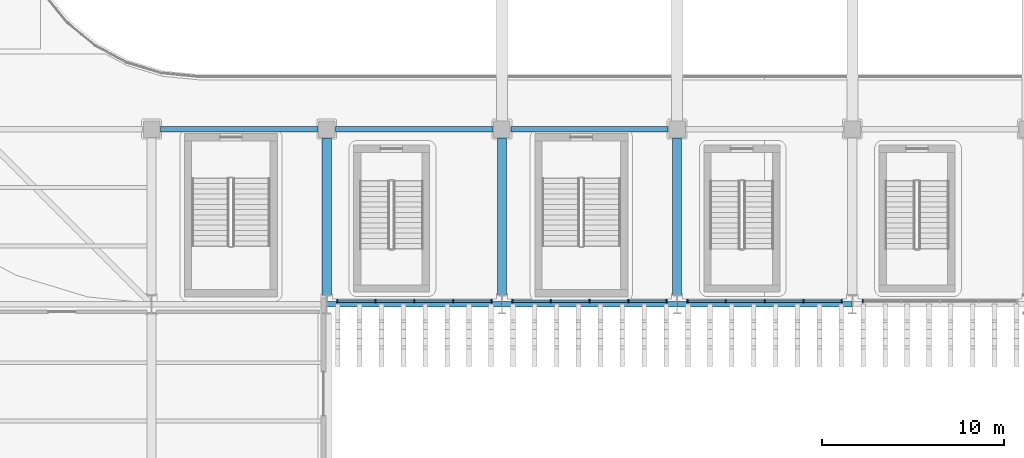
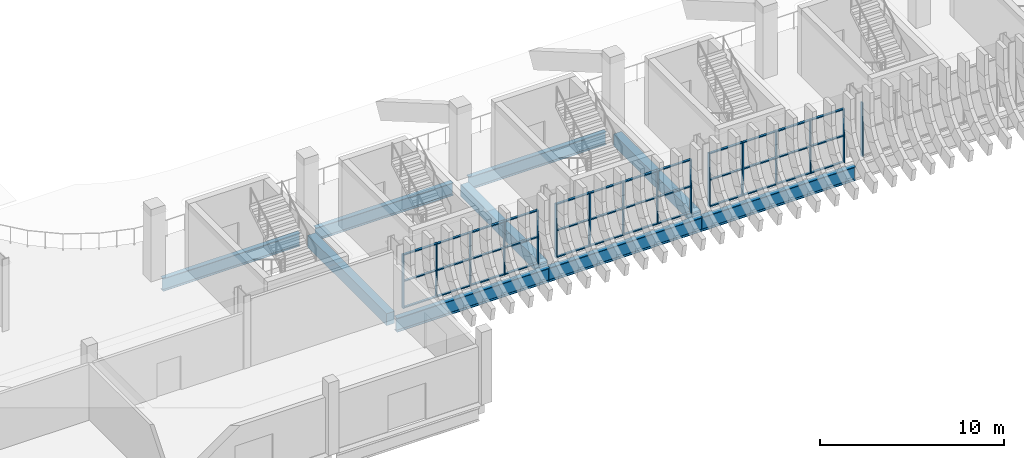
# One storey, part 18 of 100: 52 members, 9 beams, 4 elements without a shape of their own.
"""IFC4 building model written with IfcOpenShell, lengths in metres."""

from ifc_helpers import new_model, si_unit, direction, frame, origin, origin_2d, place, context, subcontext, project, spatial, rectangle, i_section, extrude, material, layer, layer_set, material_profile, profile_set, type_object, element, aggregate, save


model = new_model("IFC4")

# Units and contexts
model_context = context("Model", 3, precision=1e-05, world=origin(), true_north=direction((0.0, 1.0)))
body_context = subcontext(model_context, "Body", "Model", "MODEL_VIEW")
ifc_project = project(units=[si_unit("LENGTHUNIT", "METRE"), si_unit("AREAUNIT", "SQUARE_METRE"), si_unit("VOLUMEUNIT", "CUBIC_METRE"), si_unit("PLANEANGLEUNIT", "RADIAN"), si_unit("MASSUNIT", "GRAM", prefix="KILO")], contexts=[model_context])

# Site, building, storey
site_placement = place(None, origin())
site = spatial("IfcSite", under=ifc_project, at=site_placement, CompositionType="ELEMENT")
building_placement = place(site_placement, origin())
building = spatial("IfcBuilding", under=site, at=building_placement, Name="Caelomonte Colonnade Arena", CompositionType="ELEMENT")
storey_placement = place(building_placement, origin())
storey = spatial("IfcBuildingStorey", under=building, at=storey_placement, Name="L00", CompositionType="ELEMENT", Elevation=0.0)

# Curtain wall, members
ifc_material_1 = material(Name="Bronze anodised aluminium and low-E glazing", Category="aluminium")
ifc_layer = layer(ifc_material_1, 0.179931640625)
ifc_layer_set = layer_set([ifc_layer], Name="Bronze anodised aluminium and low-E glazing")
curtain_wall_type = type_object("IfcCurtainWallType", Name="ENV-CW-CW-L00-96-36", PredefinedType="USERDEFINED", material=ifc_layer_set)
curtain_wall_1_placement = place(storey_placement, origin())
curtain_wall_1 = element("IfcCurtainWall", 1, at=curtain_wall_1_placement, inside=storey, type_object=curtain_wall_type, Name="L00 unitized curtain wall CW-L00-0912-0194", ObjectType="UNITIZED CURTAIN WALL", PredefinedType="USERDEFINED")
ifc_material_2 = material(Name="Bronze anodised aluminium AA6063-T6", Category="aluminium")
ifc_material_profile_1 = material_profile(ifc_material_2, rectangle(XDim=0.070068359375, YDim=0.179931640625, at=origin_2d()), Name="CWM-70X180")
ifc_profile_set_1 = profile_set([ifc_material_profile_1], Name="Bronze anodised aluminium AA6063-T6")
member_type_1 = type_object("IfcMemberType", Name="ENV-CW-MULL1", PredefinedType="MULLION", material=ifc_profile_set_1)
member_1_placement = place(storey_placement, frame((86.9755859375, 19.3798828125, 0.0), z_axis=(0.0, 0.0, 1.0), x_axis=(1.0, 0.0, 0.0)))
member_1 = element("IfcMember", 2, at=member_1_placement, type_object=member_type_1, Name="CW-L00-96-36 mullion 1", PredefinedType="MULLION", context=body_context, shape_type="SweptSolid", body=[
    extrude(rectangle(XDim=0.070068359375, YDim=0.179931640625, at=origin_2d()), origin(), (0.0, 0.0, 1.0), 3.572998046875),
])
member_2_placement = place(storey_placement, frame((89.0703125, 19.3798828125, 0.0), z_axis=(0.0, 0.0, 1.0), x_axis=(1.0, 0.0, 0.0)))
member_2 = element("IfcMember", 3, at=member_2_placement, type_object=member_type_1, Name="CW-L00-96-36 mullion 2", PredefinedType="MULLION", context=body_context, shape_type="SweptSolid", body=[
    extrude(rectangle(XDim=0.070068359375, YDim=0.179931640625, at=origin_2d()), origin(), (0.0, 0.0, 1.0), 3.572998046875),
])
member_3_placement = place(storey_placement, frame((91.199951171875, 19.3798828125, 0.0), z_axis=(0.0, 0.0, 1.0), x_axis=(1.0, 0.0, 0.0)))
member_3 = element("IfcMember", 4, at=member_3_placement, type_object=member_type_1, Name="CW-L00-96-36 mullion 3", PredefinedType="MULLION", context=body_context, shape_type="SweptSolid", body=[
    extrude(rectangle(XDim=0.070068359375, YDim=0.179931640625, at=origin_2d()), origin(), (0.0, 0.0, 1.0), 3.572998046875),
])
member_4_placement = place(storey_placement, frame((93.32958984375, 19.3798828125, 0.0), z_axis=(0.0, 0.0, 1.0), x_axis=(1.0, 0.0, 0.0)))
member_4 = element("IfcMember", 5, at=member_4_placement, type_object=member_type_1, Name="CW-L00-96-36 mullion 4", PredefinedType="MULLION", context=body_context, shape_type="SweptSolid", body=[
    extrude(rectangle(XDim=0.070068359375, YDim=0.179931640625, at=origin_2d()), origin(), (0.0, 0.0, 1.0), 3.572998046875),
])
member_5_placement = place(storey_placement, frame((95.42431640625, 19.3798828125, 0.0), z_axis=(0.0, 0.0, 1.0), x_axis=(1.0, 0.0, 0.0)))
member_5 = element("IfcMember", 6, at=member_5_placement, type_object=member_type_1, Name="CW-L00-96-36 mullion 5", PredefinedType="MULLION", context=body_context, shape_type="SweptSolid", body=[
    extrude(rectangle(XDim=0.070068359375, YDim=0.179931640625, at=origin_2d()), origin(), (0.0, 0.0, 1.0), 3.572998046875),
])

curtain_wall_2_placement = place(storey_placement, origin())
curtain_wall_2 = element("IfcCurtainWall", 7, at=curtain_wall_2_placement, inside=storey, type_object=curtain_wall_type, Name="L00 unitized curtain wall CW-L00-1008-0194", ObjectType="UNITIZED CURTAIN WALL", PredefinedType="USERDEFINED")
member_6_placement = place(storey_placement, frame((96.57568359375, 19.3798828125, 0.0), z_axis=(0.0, 0.0, 1.0), x_axis=(1.0, 0.0, 0.0)))
member_6 = element("IfcMember", 8, at=member_6_placement, type_object=member_type_1, Name="CW-L00-96-36 mullion 1", PredefinedType="MULLION", context=body_context, shape_type="SweptSolid", body=[
    extrude(rectangle(XDim=0.070068359375, YDim=0.179931640625, at=origin_2d()), origin(), (0.0, 0.0, 1.0), 3.572998046875),
])
member_7_placement = place(storey_placement, frame((98.67041015625, 19.3798828125, 0.0), z_axis=(0.0, 0.0, 1.0), x_axis=(1.0, 0.0, 0.0)))
member_7 = element("IfcMember", 9, at=member_7_placement, type_object=member_type_1, Name="CW-L00-96-36 mullion 2", PredefinedType="MULLION", context=body_context, shape_type="SweptSolid", body=[
    extrude(rectangle(XDim=0.070068359375, YDim=0.179931640625, at=origin_2d()), origin(), (0.0, 0.0, 1.0), 3.572998046875),
])
member_8_placement = place(storey_placement, frame((100.800048828125, 19.3798828125, 0.0), z_axis=(0.0, 0.0, 1.0), x_axis=(1.0, 0.0, 0.0)))
member_8 = element("IfcMember", 10, at=member_8_placement, type_object=member_type_1, Name="CW-L00-96-36 mullion 3", PredefinedType="MULLION", context=body_context, shape_type="SweptSolid", body=[
    extrude(rectangle(XDim=0.070068359375, YDim=0.179931640625, at=origin_2d()), origin(), (0.0, 0.0, 1.0), 3.572998046875),
])
member_9_placement = place(storey_placement, frame((102.9296875, 19.3798828125, 0.0), z_axis=(0.0, 0.0, 1.0), x_axis=(1.0, 0.0, 0.0)))
member_9 = element("IfcMember", 11, at=member_9_placement, type_object=member_type_1, Name="CW-L00-96-36 mullion 4", PredefinedType="MULLION", context=body_context, shape_type="SweptSolid", body=[
    extrude(rectangle(XDim=0.070068359375, YDim=0.179931640625, at=origin_2d()), origin(), (0.0, 0.0, 1.0), 3.572998046875),
])
member_10_placement = place(storey_placement, frame((105.0244140625, 19.3798828125, 0.0), z_axis=(0.0, 0.0, 1.0), x_axis=(1.0, 0.0, 0.0)))
member_10 = element("IfcMember", 12, at=member_10_placement, type_object=member_type_1, Name="CW-L00-96-36 mullion 5", PredefinedType="MULLION", context=body_context, shape_type="SweptSolid", body=[
    extrude(rectangle(XDim=0.070068359375, YDim=0.179931640625, at=origin_2d()), origin(), (0.0, 0.0, 1.0), 3.572998046875),
])

curtain_wall_3_placement = place(storey_placement, origin())
curtain_wall_3 = element("IfcCurtainWall", 13, at=curtain_wall_3_placement, inside=storey, type_object=curtain_wall_type, Name="L00 unitized curtain wall CW-L00-1104-0194", ObjectType="UNITIZED CURTAIN WALL", PredefinedType="USERDEFINED")
member_11_placement = place(storey_placement, frame((106.17578125, 19.3798828125, 0.0), z_axis=(0.0, 0.0, 1.0), x_axis=(1.0, 0.0, 0.0)))
member_11 = element("IfcMember", 14, at=member_11_placement, type_object=member_type_1, Name="CW-L00-96-36 mullion 1", PredefinedType="MULLION", context=body_context, shape_type="SweptSolid", body=[
    extrude(rectangle(XDim=0.070068359375, YDim=0.179931640625, at=origin_2d()), origin(), (0.0, 0.0, 1.0), 3.572998046875),
])
member_12_placement = place(storey_placement, frame((108.270263671875, 19.3798828125, 0.0), z_axis=(0.0, 0.0, 1.0), x_axis=(1.0, 0.0, 0.0)))
member_12 = element("IfcMember", 15, at=member_12_placement, type_object=member_type_1, Name="CW-L00-96-36 mullion 2", PredefinedType="MULLION", context=body_context, shape_type="SweptSolid", body=[
    extrude(rectangle(XDim=0.070068359375, YDim=0.179931640625, at=origin_2d()), origin(), (0.0, 0.0, 1.0), 3.572998046875),
])
member_13_placement = place(storey_placement, frame((110.39990234375, 19.3798828125, 0.0), z_axis=(0.0, 0.0, 1.0), x_axis=(1.0, 0.0, 0.0)))
member_13 = element("IfcMember", 16, at=member_13_placement, type_object=member_type_1, Name="CW-L00-96-36 mullion 3", PredefinedType="MULLION", context=body_context, shape_type="SweptSolid", body=[
    extrude(rectangle(XDim=0.070068359375, YDim=0.179931640625, at=origin_2d()), origin(), (0.0, 0.0, 1.0), 3.572998046875),
])
member_14_placement = place(storey_placement, frame((112.529541015625, 19.3798828125, 0.0), z_axis=(0.0, 0.0, 1.0), x_axis=(1.0, 0.0, 0.0)))
member_14 = element("IfcMember", 17, at=member_14_placement, type_object=member_type_1, Name="CW-L00-96-36 mullion 4", PredefinedType="MULLION", context=body_context, shape_type="SweptSolid", body=[
    extrude(rectangle(XDim=0.070068359375, YDim=0.179931640625, at=origin_2d()), origin(), (0.0, 0.0, 1.0), 3.572998046875),
])
member_15_placement = place(storey_placement, frame((114.624267578125, 19.3798828125, 0.0), z_axis=(0.0, 0.0, 1.0), x_axis=(1.0, 0.0, 0.0)))
member_15 = element("IfcMember", 18, at=member_15_placement, type_object=member_type_1, Name="CW-L00-96-36 mullion 5", PredefinedType="MULLION", context=body_context, shape_type="SweptSolid", body=[
    extrude(rectangle(XDim=0.070068359375, YDim=0.179931640625, at=origin_2d()), origin(), (0.0, 0.0, 1.0), 3.572998046875),
])

# Curtain wall, member
curtain_wall_4_placement = place(storey_placement, origin())
curtain_wall_4 = element("IfcCurtainWall", 19, at=curtain_wall_4_placement, inside=storey, type_object=curtain_wall_type, Name="L00 unitized curtain wall CW-L00-1200-0194", ObjectType="UNITIZED CURTAIN WALL", PredefinedType="USERDEFINED")
member_16_placement = place(storey_placement, frame((115.775634765625, 19.3798828125, 0.0), z_axis=(0.0, 0.0, 1.0), x_axis=(1.0, 0.0, 0.0)))
member_16 = element("IfcMember", 20, at=member_16_placement, type_object=member_type_1, Name="CW-L00-96-36 mullion 1", PredefinedType="MULLION", context=body_context, shape_type="SweptSolid", body=[
    extrude(rectangle(XDim=0.070068359375, YDim=0.179931640625, at=origin_2d()), origin(), (0.0, 0.0, 1.0), 3.572998046875),
])
aggregate(curtain_wall_4, [member_16])

# Member
ifc_material_profile_2 = material_profile(ifc_material_2, rectangle(XDim=0.070068359375, YDim=0.139892578125, at=origin_2d()), Name="CWT-70X140")
ifc_profile_set_2 = profile_set([ifc_material_profile_2], Name="Bronze anodised aluminium AA6063-T6")
member_type_2 = type_object("IfcMemberType", Name="ENV-CW-TRAN1", PredefinedType="USERDEFINED", material=ifc_profile_set_2)
member_17_placement = place(storey_placement, frame((87.0107421875, 19.3798828125, 0.034912109375), z_axis=(1.0, 0.0, 0.0), x_axis=(0.0, 0.0, 1.0)))
member_17 = element("IfcMember", 21, at=member_17_placement, type_object=member_type_2, Name="CW-L00-96-36 transom 1.1", ObjectType="TRANSOM", PredefinedType="USERDEFINED", context=body_context, shape_type="SweptSolid", body=[
    extrude(rectangle(XDim=0.070068359375, YDim=0.139892578125, at=origin_2d()), origin(), (0.0, 0.0, 1.0), 2.024658203125),
])

member_18_placement = place(storey_placement, frame((87.0107421875, 19.3798828125, 1.78662109375), z_axis=(1.0, 0.0, 0.0), x_axis=(0.0, 0.0, 1.0)))
member_18 = element("IfcMember", 22, at=member_18_placement, type_object=member_type_2, Name="CW-L00-96-36 transom 1.2", ObjectType="TRANSOM", PredefinedType="USERDEFINED", context=body_context, shape_type="SweptSolid", body=[
    extrude(rectangle(XDim=0.070068359375, YDim=0.139892578125, at=origin_2d()), origin(), (0.0, 0.0, 1.0), 2.024658203125),
])

member_19_placement = place(storey_placement, frame((87.0107421875, 19.3798828125, 3.5380859375), z_axis=(1.0, 0.0, 0.0), x_axis=(0.0, 0.0, 1.0)))
member_19 = element("IfcMember", 23, at=member_19_placement, type_object=member_type_2, Name="CW-L00-96-36 transom 1.3", ObjectType="TRANSOM", PredefinedType="USERDEFINED", context=body_context, shape_type="SweptSolid", body=[
    extrude(rectangle(XDim=0.070068359375, YDim=0.139892578125, at=origin_2d()), origin(), (0.0, 0.0, 1.0), 2.024658203125),
])

member_20_placement = place(storey_placement, frame((89.10546875, 19.3798828125, 0.034912109375), z_axis=(1.0, 0.0, 0.0), x_axis=(0.0, 0.0, 1.0)))
member_20 = element("IfcMember", 24, at=member_20_placement, type_object=member_type_2, Name="CW-L00-96-36 transom 2.1", ObjectType="TRANSOM", PredefinedType="USERDEFINED", context=body_context, shape_type="SweptSolid", body=[
    extrude(rectangle(XDim=0.070068359375, YDim=0.139892578125, at=origin_2d()), origin(), (0.0, 0.0, 1.0), 2.0595703125),
])

member_21_placement = place(storey_placement, frame((89.10546875, 19.3798828125, 1.78662109375), z_axis=(1.0, 0.0, 0.0), x_axis=(0.0, 0.0, 1.0)))
member_21 = element("IfcMember", 25, at=member_21_placement, type_object=member_type_2, Name="CW-L00-96-36 transom 2.2", ObjectType="TRANSOM", PredefinedType="USERDEFINED", context=body_context, shape_type="SweptSolid", body=[
    extrude(rectangle(XDim=0.070068359375, YDim=0.139892578125, at=origin_2d()), origin(), (0.0, 0.0, 1.0), 2.0595703125),
])

member_22_placement = place(storey_placement, frame((89.10546875, 19.3798828125, 3.5380859375), z_axis=(1.0, 0.0, 0.0), x_axis=(0.0, 0.0, 1.0)))
member_22 = element("IfcMember", 26, at=member_22_placement, type_object=member_type_2, Name="CW-L00-96-36 transom 2.3", ObjectType="TRANSOM", PredefinedType="USERDEFINED", context=body_context, shape_type="SweptSolid", body=[
    extrude(rectangle(XDim=0.070068359375, YDim=0.139892578125, at=origin_2d()), origin(), (0.0, 0.0, 1.0), 2.0595703125),
])

member_23_placement = place(storey_placement, frame((91.235107421875, 19.3798828125, 0.034912109375), z_axis=(1.0, 0.0, 0.0), x_axis=(0.0, 0.0, 1.0)))
member_23 = element("IfcMember", 27, at=member_23_placement, type_object=member_type_2, Name="CW-L00-96-36 transom 3.1", ObjectType="TRANSOM", PredefinedType="USERDEFINED", context=body_context, shape_type="SweptSolid", body=[
    extrude(rectangle(XDim=0.070068359375, YDim=0.139892578125, at=origin_2d()), origin(), (0.0, 0.0, 1.0), 2.0595703125),
])

member_24_placement = place(storey_placement, frame((91.235107421875, 19.3798828125, 1.78662109375), z_axis=(1.0, 0.0, 0.0), x_axis=(0.0, 0.0, 1.0)))
member_24 = element("IfcMember", 28, at=member_24_placement, type_object=member_type_2, Name="CW-L00-96-36 transom 3.2", ObjectType="TRANSOM", PredefinedType="USERDEFINED", context=body_context, shape_type="SweptSolid", body=[
    extrude(rectangle(XDim=0.070068359375, YDim=0.139892578125, at=origin_2d()), origin(), (0.0, 0.0, 1.0), 2.0595703125),
])

member_25_placement = place(storey_placement, frame((91.235107421875, 19.3798828125, 3.5380859375), z_axis=(1.0, 0.0, 0.0), x_axis=(0.0, 0.0, 1.0)))
member_25 = element("IfcMember", 29, at=member_25_placement, type_object=member_type_2, Name="CW-L00-96-36 transom 3.3", ObjectType="TRANSOM", PredefinedType="USERDEFINED", context=body_context, shape_type="SweptSolid", body=[
    extrude(rectangle(XDim=0.070068359375, YDim=0.139892578125, at=origin_2d()), origin(), (0.0, 0.0, 1.0), 2.0595703125),
])

member_26_placement = place(storey_placement, frame((93.36474609375, 19.3798828125, 0.034912109375), z_axis=(1.0, 0.0, 0.0), x_axis=(0.0, 0.0, 1.0)))
member_26 = element("IfcMember", 30, at=member_26_placement, type_object=member_type_2, Name="CW-L00-96-36 transom 4.1", ObjectType="TRANSOM", PredefinedType="USERDEFINED", context=body_context, shape_type="SweptSolid", body=[
    extrude(rectangle(XDim=0.070068359375, YDim=0.139892578125, at=origin_2d()), origin(), (0.0, 0.0, 1.0), 2.024658203125),
])

member_27_placement = place(storey_placement, frame((93.36474609375, 19.3798828125, 1.78662109375), z_axis=(1.0, 0.0, 0.0), x_axis=(0.0, 0.0, 1.0)))
member_27 = element("IfcMember", 31, at=member_27_placement, type_object=member_type_2, Name="CW-L00-96-36 transom 4.2", ObjectType="TRANSOM", PredefinedType="USERDEFINED", context=body_context, shape_type="SweptSolid", body=[
    extrude(rectangle(XDim=0.070068359375, YDim=0.139892578125, at=origin_2d()), origin(), (0.0, 0.0, 1.0), 2.024658203125),
])

member_28_placement = place(storey_placement, frame((93.36474609375, 19.3798828125, 3.5380859375), z_axis=(1.0, 0.0, 0.0), x_axis=(0.0, 0.0, 1.0)))
member_28 = element("IfcMember", 32, at=member_28_placement, type_object=member_type_2, Name="CW-L00-96-36 transom 4.3", ObjectType="TRANSOM", PredefinedType="USERDEFINED", context=body_context, shape_type="SweptSolid", body=[
    extrude(rectangle(XDim=0.070068359375, YDim=0.139892578125, at=origin_2d()), origin(), (0.0, 0.0, 1.0), 2.024658203125),
])

aggregate(curtain_wall_1, [member_1, member_2, member_3, member_4, member_5, member_17, member_18, member_19, member_20, member_21, member_22, member_23, member_24, member_25, member_26, member_27, member_28])

member_29_placement = place(storey_placement, frame((96.610595703125, 19.3798828125, 0.034912109375), z_axis=(1.0, 0.0, 0.0), x_axis=(0.0, 0.0, 1.0)))
member_29 = element("IfcMember", 33, at=member_29_placement, type_object=member_type_2, Name="CW-L00-96-36 transom 1.1", ObjectType="TRANSOM", PredefinedType="USERDEFINED", context=body_context, shape_type="SweptSolid", body=[
    extrude(rectangle(XDim=0.070068359375, YDim=0.139892578125, at=origin_2d()), origin(), (0.0, 0.0, 1.0), 2.024658203125),
])

member_30_placement = place(storey_placement, frame((96.610595703125, 19.3798828125, 1.78662109375), z_axis=(1.0, 0.0, 0.0), x_axis=(0.0, 0.0, 1.0)))
member_30 = element("IfcMember", 34, at=member_30_placement, type_object=member_type_2, Name="CW-L00-96-36 transom 1.2", ObjectType="TRANSOM", PredefinedType="USERDEFINED", context=body_context, shape_type="SweptSolid", body=[
    extrude(rectangle(XDim=0.070068359375, YDim=0.139892578125, at=origin_2d()), origin(), (0.0, 0.0, 1.0), 2.024658203125),
])

member_31_placement = place(storey_placement, frame((96.610595703125, 19.3798828125, 3.5380859375), z_axis=(1.0, 0.0, 0.0), x_axis=(0.0, 0.0, 1.0)))
member_31 = element("IfcMember", 35, at=member_31_placement, type_object=member_type_2, Name="CW-L00-96-36 transom 1.3", ObjectType="TRANSOM", PredefinedType="USERDEFINED", context=body_context, shape_type="SweptSolid", body=[
    extrude(rectangle(XDim=0.070068359375, YDim=0.139892578125, at=origin_2d()), origin(), (0.0, 0.0, 1.0), 2.024658203125),
])

member_32_placement = place(storey_placement, frame((98.705322265625, 19.3798828125, 0.034912109375), z_axis=(1.0, 0.0, 0.0), x_axis=(0.0, 0.0, 1.0)))
member_32 = element("IfcMember", 36, at=member_32_placement, type_object=member_type_2, Name="CW-L00-96-36 transom 2.1", ObjectType="TRANSOM", PredefinedType="USERDEFINED", context=body_context, shape_type="SweptSolid", body=[
    extrude(rectangle(XDim=0.070068359375, YDim=0.139892578125, at=origin_2d()), origin(), (0.0, 0.0, 1.0), 2.0595703125),
])

member_33_placement = place(storey_placement, frame((98.705322265625, 19.3798828125, 1.78662109375), z_axis=(1.0, 0.0, 0.0), x_axis=(0.0, 0.0, 1.0)))
member_33 = element("IfcMember", 37, at=member_33_placement, type_object=member_type_2, Name="CW-L00-96-36 transom 2.2", ObjectType="TRANSOM", PredefinedType="USERDEFINED", context=body_context, shape_type="SweptSolid", body=[
    extrude(rectangle(XDim=0.070068359375, YDim=0.139892578125, at=origin_2d()), origin(), (0.0, 0.0, 1.0), 2.0595703125),
])

member_34_placement = place(storey_placement, frame((98.705322265625, 19.3798828125, 3.5380859375), z_axis=(1.0, 0.0, 0.0), x_axis=(0.0, 0.0, 1.0)))
member_34 = element("IfcMember", 38, at=member_34_placement, type_object=member_type_2, Name="CW-L00-96-36 transom 2.3", ObjectType="TRANSOM", PredefinedType="USERDEFINED", context=body_context, shape_type="SweptSolid", body=[
    extrude(rectangle(XDim=0.070068359375, YDim=0.139892578125, at=origin_2d()), origin(), (0.0, 0.0, 1.0), 2.0595703125),
])

member_35_placement = place(storey_placement, frame((100.8349609375, 19.3798828125, 0.034912109375), z_axis=(1.0, 0.0, 0.0), x_axis=(0.0, 0.0, 1.0)))
member_35 = element("IfcMember", 39, at=member_35_placement, type_object=member_type_2, Name="CW-L00-96-36 transom 3.1", ObjectType="TRANSOM", PredefinedType="USERDEFINED", context=body_context, shape_type="SweptSolid", body=[
    extrude(rectangle(XDim=0.070068359375, YDim=0.139892578125, at=origin_2d()), origin(), (0.0, 0.0, 1.0), 2.0595703125),
])

member_36_placement = place(storey_placement, frame((100.8349609375, 19.3798828125, 1.78662109375), z_axis=(1.0, 0.0, 0.0), x_axis=(0.0, 0.0, 1.0)))
member_36 = element("IfcMember", 40, at=member_36_placement, type_object=member_type_2, Name="CW-L00-96-36 transom 3.2", ObjectType="TRANSOM", PredefinedType="USERDEFINED", context=body_context, shape_type="SweptSolid", body=[
    extrude(rectangle(XDim=0.070068359375, YDim=0.139892578125, at=origin_2d()), origin(), (0.0, 0.0, 1.0), 2.0595703125),
])

member_37_placement = place(storey_placement, frame((100.8349609375, 19.3798828125, 3.5380859375), z_axis=(1.0, 0.0, 0.0), x_axis=(0.0, 0.0, 1.0)))
member_37 = element("IfcMember", 41, at=member_37_placement, type_object=member_type_2, Name="CW-L00-96-36 transom 3.3", ObjectType="TRANSOM", PredefinedType="USERDEFINED", context=body_context, shape_type="SweptSolid", body=[
    extrude(rectangle(XDim=0.070068359375, YDim=0.139892578125, at=origin_2d()), origin(), (0.0, 0.0, 1.0), 2.0595703125),
])

member_38_placement = place(storey_placement, frame((102.964599609375, 19.3798828125, 0.034912109375), z_axis=(1.0, 0.0, 0.0), x_axis=(0.0, 0.0, 1.0)))
member_38 = element("IfcMember", 42, at=member_38_placement, type_object=member_type_2, Name="CW-L00-96-36 transom 4.1", ObjectType="TRANSOM", PredefinedType="USERDEFINED", context=body_context, shape_type="SweptSolid", body=[
    extrude(rectangle(XDim=0.070068359375, YDim=0.139892578125, at=origin_2d()), origin(), (0.0, 0.0, 1.0), 2.024658203125),
])

member_39_placement = place(storey_placement, frame((102.964599609375, 19.3798828125, 1.78662109375), z_axis=(1.0, 0.0, 0.0), x_axis=(0.0, 0.0, 1.0)))
member_39 = element("IfcMember", 43, at=member_39_placement, type_object=member_type_2, Name="CW-L00-96-36 transom 4.2", ObjectType="TRANSOM", PredefinedType="USERDEFINED", context=body_context, shape_type="SweptSolid", body=[
    extrude(rectangle(XDim=0.070068359375, YDim=0.139892578125, at=origin_2d()), origin(), (0.0, 0.0, 1.0), 2.024658203125),
])

member_40_placement = place(storey_placement, frame((102.964599609375, 19.3798828125, 3.5380859375), z_axis=(1.0, 0.0, 0.0), x_axis=(0.0, 0.0, 1.0)))
member_40 = element("IfcMember", 44, at=member_40_placement, type_object=member_type_2, Name="CW-L00-96-36 transom 4.3", ObjectType="TRANSOM", PredefinedType="USERDEFINED", context=body_context, shape_type="SweptSolid", body=[
    extrude(rectangle(XDim=0.070068359375, YDim=0.139892578125, at=origin_2d()), origin(), (0.0, 0.0, 1.0), 2.024658203125),
])

aggregate(curtain_wall_2, [member_6, member_7, member_8, member_9, member_10, member_29, member_30, member_31, member_32, member_33, member_34, member_35, member_36, member_37, member_38, member_39, member_40])

member_41_placement = place(storey_placement, frame((106.210693359375, 19.3798828125, 0.034912109375), z_axis=(1.0, 0.0, 0.0), x_axis=(0.0, 0.0, 1.0)))
member_41 = element("IfcMember", 45, at=member_41_placement, type_object=member_type_2, Name="CW-L00-96-36 transom 1.1", ObjectType="TRANSOM", PredefinedType="USERDEFINED", context=body_context, shape_type="SweptSolid", body=[
    extrude(rectangle(XDim=0.070068359375, YDim=0.139892578125, at=origin_2d()), origin(), (0.0, 0.0, 1.0), 2.024658203125),
])

member_42_placement = place(storey_placement, frame((106.210693359375, 19.3798828125, 1.78662109375), z_axis=(1.0, 0.0, 0.0), x_axis=(0.0, 0.0, 1.0)))
member_42 = element("IfcMember", 46, at=member_42_placement, type_object=member_type_2, Name="CW-L00-96-36 transom 1.2", ObjectType="TRANSOM", PredefinedType="USERDEFINED", context=body_context, shape_type="SweptSolid", body=[
    extrude(rectangle(XDim=0.070068359375, YDim=0.139892578125, at=origin_2d()), origin(), (0.0, 0.0, 1.0), 2.024658203125),
])

member_43_placement = place(storey_placement, frame((106.210693359375, 19.3798828125, 3.5380859375), z_axis=(1.0, 0.0, 0.0), x_axis=(0.0, 0.0, 1.0)))
member_43 = element("IfcMember", 47, at=member_43_placement, type_object=member_type_2, Name="CW-L00-96-36 transom 1.3", ObjectType="TRANSOM", PredefinedType="USERDEFINED", context=body_context, shape_type="SweptSolid", body=[
    extrude(rectangle(XDim=0.070068359375, YDim=0.139892578125, at=origin_2d()), origin(), (0.0, 0.0, 1.0), 2.024658203125),
])

member_44_placement = place(storey_placement, frame((108.305419921875, 19.3798828125, 0.034912109375), z_axis=(1.0, 0.0, 0.0), x_axis=(0.0, 0.0, 1.0)))
member_44 = element("IfcMember", 48, at=member_44_placement, type_object=member_type_2, Name="CW-L00-96-36 transom 2.1", ObjectType="TRANSOM", PredefinedType="USERDEFINED", context=body_context, shape_type="SweptSolid", body=[
    extrude(rectangle(XDim=0.070068359375, YDim=0.139892578125, at=origin_2d()), origin(), (0.0, 0.0, 1.0), 2.0595703125),
])

member_45_placement = place(storey_placement, frame((108.305419921875, 19.3798828125, 1.78662109375), z_axis=(1.0, 0.0, 0.0), x_axis=(0.0, 0.0, 1.0)))
member_45 = element("IfcMember", 49, at=member_45_placement, type_object=member_type_2, Name="CW-L00-96-36 transom 2.2", ObjectType="TRANSOM", PredefinedType="USERDEFINED", context=body_context, shape_type="SweptSolid", body=[
    extrude(rectangle(XDim=0.070068359375, YDim=0.139892578125, at=origin_2d()), origin(), (0.0, 0.0, 1.0), 2.0595703125),
])

member_46_placement = place(storey_placement, frame((108.305419921875, 19.3798828125, 3.5380859375), z_axis=(1.0, 0.0, 0.0), x_axis=(0.0, 0.0, 1.0)))
member_46 = element("IfcMember", 50, at=member_46_placement, type_object=member_type_2, Name="CW-L00-96-36 transom 2.3", ObjectType="TRANSOM", PredefinedType="USERDEFINED", context=body_context, shape_type="SweptSolid", body=[
    extrude(rectangle(XDim=0.070068359375, YDim=0.139892578125, at=origin_2d()), origin(), (0.0, 0.0, 1.0), 2.0595703125),
])

member_47_placement = place(storey_placement, frame((110.43505859375, 19.3798828125, 0.034912109375), z_axis=(1.0, 0.0, 0.0), x_axis=(0.0, 0.0, 1.0)))
member_47 = element("IfcMember", 51, at=member_47_placement, type_object=member_type_2, Name="CW-L00-96-36 transom 3.1", ObjectType="TRANSOM", PredefinedType="USERDEFINED", context=body_context, shape_type="SweptSolid", body=[
    extrude(rectangle(XDim=0.070068359375, YDim=0.139892578125, at=origin_2d()), origin(), (0.0, 0.0, 1.0), 2.0595703125),
])

member_48_placement = place(storey_placement, frame((110.43505859375, 19.3798828125, 1.78662109375), z_axis=(1.0, 0.0, 0.0), x_axis=(0.0, 0.0, 1.0)))
member_48 = element("IfcMember", 52, at=member_48_placement, type_object=member_type_2, Name="CW-L00-96-36 transom 3.2", ObjectType="TRANSOM", PredefinedType="USERDEFINED", context=body_context, shape_type="SweptSolid", body=[
    extrude(rectangle(XDim=0.070068359375, YDim=0.139892578125, at=origin_2d()), origin(), (0.0, 0.0, 1.0), 2.0595703125),
])

member_49_placement = place(storey_placement, frame((110.43505859375, 19.3798828125, 3.5380859375), z_axis=(1.0, 0.0, 0.0), x_axis=(0.0, 0.0, 1.0)))
member_49 = element("IfcMember", 53, at=member_49_placement, type_object=member_type_2, Name="CW-L00-96-36 transom 3.3", ObjectType="TRANSOM", PredefinedType="USERDEFINED", context=body_context, shape_type="SweptSolid", body=[
    extrude(rectangle(XDim=0.070068359375, YDim=0.139892578125, at=origin_2d()), origin(), (0.0, 0.0, 1.0), 2.0595703125),
])

member_50_placement = place(storey_placement, frame((112.564697265625, 19.3798828125, 0.034912109375), z_axis=(1.0, 0.0, 0.0), x_axis=(0.0, 0.0, 1.0)))
member_50 = element("IfcMember", 54, at=member_50_placement, type_object=member_type_2, Name="CW-L00-96-36 transom 4.1", ObjectType="TRANSOM", PredefinedType="USERDEFINED", context=body_context, shape_type="SweptSolid", body=[
    extrude(rectangle(XDim=0.070068359375, YDim=0.139892578125, at=origin_2d()), origin(), (0.0, 0.0, 1.0), 2.024658203125),
])

member_51_placement = place(storey_placement, frame((112.564697265625, 19.3798828125, 1.78662109375), z_axis=(1.0, 0.0, 0.0), x_axis=(0.0, 0.0, 1.0)))
member_51 = element("IfcMember", 55, at=member_51_placement, type_object=member_type_2, Name="CW-L00-96-36 transom 4.2", ObjectType="TRANSOM", PredefinedType="USERDEFINED", context=body_context, shape_type="SweptSolid", body=[
    extrude(rectangle(XDim=0.070068359375, YDim=0.139892578125, at=origin_2d()), origin(), (0.0, 0.0, 1.0), 2.024658203125),
])

member_52_placement = place(storey_placement, frame((112.564697265625, 19.3798828125, 3.5380859375), z_axis=(1.0, 0.0, 0.0), x_axis=(0.0, 0.0, 1.0)))
member_52 = element("IfcMember", 56, at=member_52_placement, type_object=member_type_2, Name="CW-L00-96-36 transom 4.3", ObjectType="TRANSOM", PredefinedType="USERDEFINED", context=body_context, shape_type="SweptSolid", body=[
    extrude(rectangle(XDim=0.070068359375, YDim=0.139892578125, at=origin_2d()), origin(), (0.0, 0.0, 1.0), 2.024658203125),
])

aggregate(curtain_wall_3, [member_11, member_12, member_13, member_14, member_15, member_41, member_42, member_43, member_44, member_45, member_46, member_47, member_48, member_49, member_50, member_51, member_52])

# Beams
ifc_material_3 = material(Name="Wide-flange steel ASTM A992 Grade 50", Category="steel")
ifc_material_profile_3 = material_profile(ifc_material_3, i_section(OverallWidth=0.307861328125, OverallDepth=0.927001953125, WebThickness=0.019287109375, FlangeThickness=0.031982421875, FilletRadius=0.020263671875, at=origin_2d()), Name="W36X194")
ifc_profile_set_3 = profile_set([ifc_material_profile_3], Name="Wide-flange steel ASTM A992 Grade 50")
beam_type_1 = type_object("IfcBeamType", Name="STR-BM-EAVES2", PredefinedType="SPANDREL", material=ifc_profile_set_3)
for number, where, z_axis, x_axis, name in (
    (57, (86.41552734375, 19.199951171875, -0.763427734375), (1.0, 0.0, 0.0), (0.0, 1.0, 0.0), "L00 girder BMX-L00-0864-0192"),
    (58, (96.015380859375, 19.199951171875, -0.763427734375), (1.0, 0.0, 0.0), (0.0, 1.0, 0.0), "L00 girder BMX-L00-0960-0192"),
    (59, (105.615478515625, 19.199951171875, -0.763427734375), (1.0, 0.0, 0.0), (0.0, 1.0, 0.0), "L00 girder BMX-L00-1056-0192"),
):
    element("IfcBeam", number, at=place(storey_placement, frame(where, z_axis=z_axis, x_axis=x_axis)), inside=storey, type_object=beam_type_1, Name=name, PredefinedType="SPANDREL", context=body_context, shape_type="SweptSolid", body=[
        extrude(i_section(OverallWidth=0.307861328125, OverallDepth=0.927001953125, WebThickness=0.019287109375, FlangeThickness=0.031982421875, FilletRadius=0.020263671875, at=origin_2d()), origin(), (0.0, 0.0, 1.0), 9.569091796875),
    ])
ifc_material_profile_4 = material_profile(ifc_material_3, i_section(OverallWidth=0.2919921875, OverallDepth=0.845703125, WebThickness=0.015380859375, FlangeThickness=0.0244140625, FilletRadius=0.017822265625, at=origin_2d()), Name="W33X141")
ifc_profile_set_4 = profile_set([ifc_material_profile_4], Name="Wide-flange steel ASTM A992 Grade 50")
beam_type_2 = type_object("IfcBeamType", Name="STR-BM-GIRD33", PredefinedType="BEAM", material=ifc_profile_set_4)
for number, where, z_axis, x_axis, name in (
    (60, (77.2919921875, 28.800048828125, -0.722900390625), (1.0, 0.0, 0.0), (0.0, 1.0, 0.0), "L00 girder BMX-L00-0768-0288"),
    (61, (86.89208984375, 28.800048828125, -0.722900390625), (1.0, 0.0, 0.0), (0.0, 1.0, 0.0), "L00 girder BMX-L00-0864-0288"),
    (62, (96.491943359375, 28.800048828125, -0.722900390625), (1.0, 0.0, 0.0), (0.0, 1.0, 0.0), "L00 girder BMX-L00-0960-0288"),
):
    element("IfcBeam", number, at=place(storey_placement, frame(where, z_axis=z_axis, x_axis=x_axis)), inside=storey, type_object=beam_type_2, Name=name, PredefinedType="BEAM", context=body_context, shape_type="SweptSolid", body=[
        extrude(i_section(OverallWidth=0.2919921875, OverallDepth=0.845703125, WebThickness=0.015380859375, FlangeThickness=0.0244140625, FilletRadius=0.017822265625, at=origin_2d()), origin(), (0.0, 0.0, 1.0), 8.615966796875),
    ])
ifc_material_4 = material(Name="Concrete C40/50", Category="concrete")
ifc_material_profile_5 = material_profile(ifc_material_4, rectangle(XDim=0.5, YDim=0.800048828125, at=origin_2d()), Name="RC500X800")
ifc_profile_set_5 = profile_set([ifc_material_profile_5], Name="Concrete C40/50")
beam_type_3 = type_object("IfcBeamType", Name="STR-BM-RC50", PredefinedType="BEAM", material=ifc_profile_set_5)
for number, where, z_axis, x_axis, name in (
    (63, (86.39990234375, 19.712646484375, -0.699951171875), (0.0, 1.0, 0.0), (-1.0, 0.0, 0.0), "L00 girder BMY-L00-0864-0192"),
    (64, (96.0, 19.712646484375, -0.699951171875), (0.0, 1.0, 0.0), (-1.0, 0.0, 0.0), "L00 girder BMY-L00-0960-0192"),
    (65, (105.60009765625, 19.712646484375, -0.699951171875), (0.0, 1.0, 0.0), (-1.0, 0.0, 0.0), "L00 girder BMY-L00-1056-0192"),
):
    element("IfcBeam", number, at=place(storey_placement, frame(where, z_axis=z_axis, x_axis=x_axis)), inside=storey, type_object=beam_type_3, Name=name, PredefinedType="BEAM", context=body_context, shape_type="SweptSolid", body=[
        extrude(rectangle(XDim=0.5, YDim=0.800048828125, at=origin_2d()), origin(), (0.0, 0.0, 1.0), 8.595458984375),
    ])

save(model, "model.ifc")
